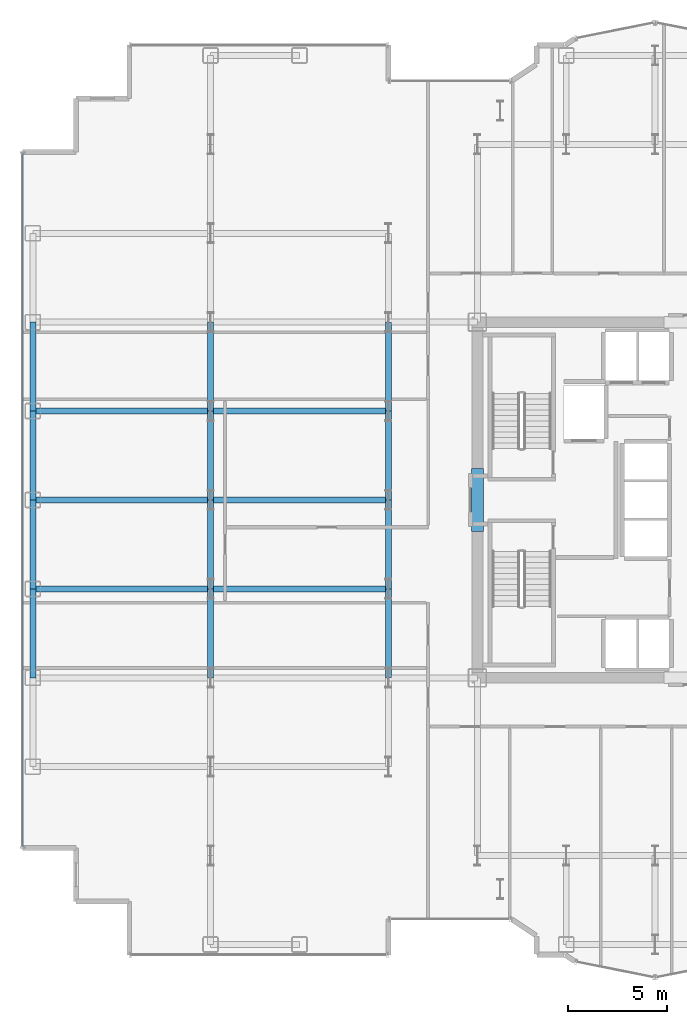
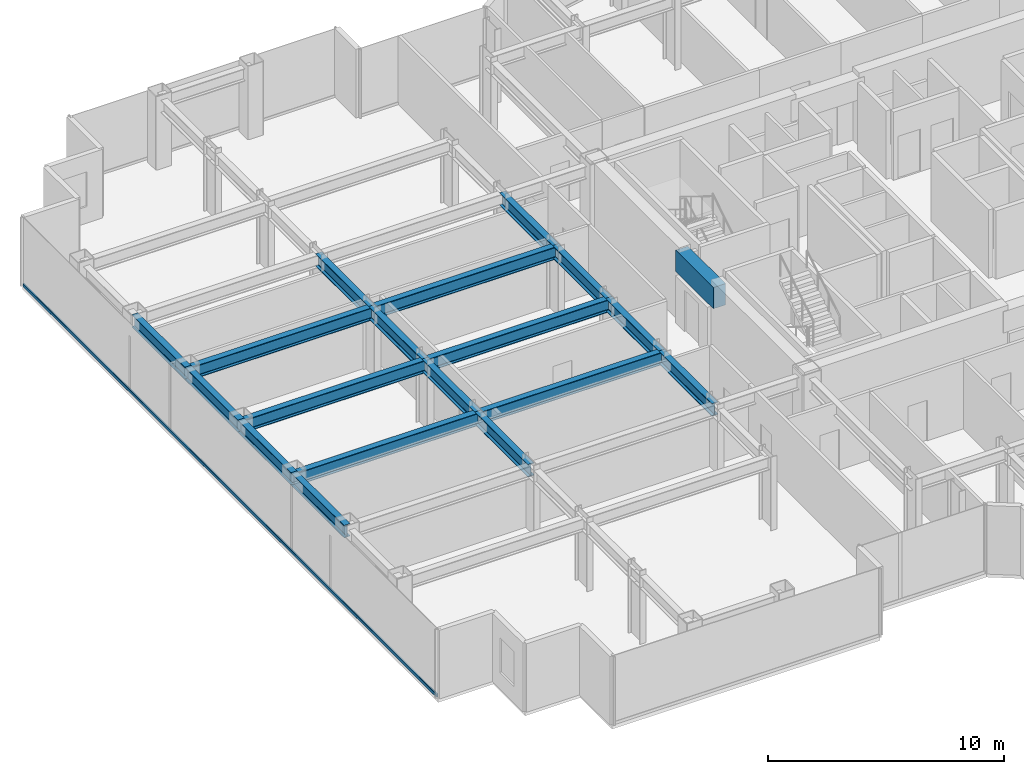
# One storey, part 5 of 26: 19 beams, 1 member, 1 element without a shape of its own.
"""IFC4 building model written with IfcOpenShell, lengths in metres."""

from ifc_helpers import new_model, si_unit, direction, frame, origin, origin_2d, place, context, subcontext, project, spatial, rectangle, hollow_rectangle, i_section, extrude, source, transform, mapped, material, layer, layer_set, material_profile, profile_set, type_object, element, aggregate, save


model = new_model("IFC4")

# Units and contexts
model_context = context("Model", 3, precision=1e-05, world=origin(), true_north=direction((0.0, 1.0)))
body_context = subcontext(model_context, "Body", "Model", "MODEL_VIEW")
ifc_project = project(units=[si_unit("LENGTHUNIT", "METRE"), si_unit("AREAUNIT", "SQUARE_METRE"), si_unit("VOLUMEUNIT", "CUBIC_METRE"), si_unit("PLANEANGLEUNIT", "RADIAN"), si_unit("MASSUNIT", "GRAM", prefix="KILO")], contexts=[model_context])

# Site, building, storey
site_placement = place(None, origin())
site = spatial("IfcSite", under=ifc_project, at=site_placement, CompositionType="ELEMENT")
building_placement = place(site_placement, origin())
building = spatial("IfcBuilding", under=site, at=building_placement, Name="Nefas-Gora Pilgrimage Tower", CompositionType="ELEMENT")
storey_placement = place(building_placement, frame((0.0, 0.0, 117.39990234375)))
storey = spatial("IfcBuildingStorey", under=building, at=storey_placement, Name="L28", CompositionType="ELEMENT", Elevation=117.39990234375)

# Beams
ifc_material_1 = material(Name="Concrete C60/75", Category="concrete")
ifc_material_profile_1 = material_profile(ifc_material_1, rectangle(XDim=0.60009765625, YDim=1.10009765625, at=origin_2d()), Name="RC 600x1100")
ifc_profile_set_1 = profile_set([ifc_material_profile_1], Name="Concrete C60/75")
beam_type_1 = type_object("IfcBeamType", Name="BM-LIN-RC1100", PredefinedType="LINTEL", material=ifc_profile_set_1)
shared_shape_1 = source(origin(), body_context, "Body", "SweptSolid", [
    extrude(rectangle(XDim=0.60009765625, YDim=1.10009765625, at=origin_2d()), origin(), (0.0, 0.0, 1.0), 3.2001953125),
])
beam_placement = place(storey_placement, frame((-11.25, -1.60009765625, 3.0), z_axis=(0.0, 1.0, 0.0), x_axis=(-1.0, 0.0, 0.0)))
element("IfcBeam", 1, at=beam_placement, inside=storey, type_object=beam_type_1, Name="L28 Core Coupling Lintel Beam W", PredefinedType="LINTEL", context=body_context, shape_type="MappedRepresentation", body=[
    mapped(shared_shape_1, transform((0.0, 0.0, 0.0), x_axis=(1.0, 0.0, 0.0), y_axis=(0.0, 1.0, 0.0), z_axis=(0.0, 0.0, 1.0), scale=1.0)),
])
ifc_material_2 = material(Name="Steel S355", Category="steel")
ifc_material_profile_2 = material_profile(ifc_material_2, i_section(OverallWidth=0.300048828125, OverallDepth=0.64990234375, WebThickness=0.01611328125, FlangeThickness=0.031005859375, FilletRadius=0.027099609375, at=origin_2d()), Name="HEB 650")
ifc_profile_set_2 = profile_set([ifc_material_profile_2], Name="Steel S355")
beam_type_2 = type_object("IfcBeamType", Name="BM-SPN-HEB500", PredefinedType="SPANDREL", material=ifc_profile_set_2)
shared_shape_2 = source(origin(), body_context, "Body", "SweptSolid", [
    extrude(i_section(OverallWidth=0.300048828125, OverallDepth=0.64990234375, WebThickness=0.01611328125, FlangeThickness=0.031005859375, FilletRadius=0.027099609375, at=origin_2d()), origin(), (0.0, 0.0, 1.0), 4.5),
])
for number, where, z_axis, x_axis, name in (
    (2, (-33.75, -9.0, 3.22509765625), (0.0, 1.0, 0.0), (-1.0, 0.0, 0.0), "L28 SP-02 beam"),
    (3, (-33.75, -4.5, 3.22509765625), (0.0, 1.0, 0.0), (-1.0, 0.0, 0.0), "L28 SP-02 beam"),
    (4, (-33.75, 0.0, 3.22509765625), (0.0, 1.0, 0.0), (-1.0, 0.0, 0.0), "L28 SP-02 beam"),
    (5, (-33.75, 4.5, 3.22509765625), (0.0, 1.0, 0.0), (-1.0, 0.0, 0.0), "L28 SP-02 beam"),
):
    element("IfcBeam", number, at=place(storey_placement, frame(where, z_axis=z_axis, x_axis=x_axis)), inside=storey, type_object=beam_type_2, Name=name, PredefinedType="SPANDREL", context=body_context, shape_type="MappedRepresentation", body=[
        mapped(shared_shape_2, transform((0.0, 0.0, 0.0), x_axis=(1.0, 0.0, 0.0), y_axis=(0.0, 1.0, 0.0), z_axis=(0.0, 0.0, 1.0), scale=1.0)),
    ])
ifc_material_profile_3 = material_profile(ifc_material_2, i_section(OverallWidth=0.300048828125, OverallDepth=0.64990234375, WebThickness=0.01611328125, FlangeThickness=0.031005859375, FilletRadius=0.027099609375, at=origin_2d()), Name="HEB 650")
ifc_profile_set_3 = profile_set([ifc_material_profile_3], Name="Steel S355")
beam_type_3 = type_object("IfcBeamType", Name="BM-GIR-HEB650", PredefinedType="BEAM", material=ifc_profile_set_3)
shared_shape_3 = source(origin(), body_context, "Body", "SweptSolid", [
    extrude(i_section(OverallWidth=0.300048828125, OverallDepth=0.64990234375, WebThickness=0.01611328125, FlangeThickness=0.031005859375, FilletRadius=0.027099609375, at=origin_2d()), origin(), (0.0, 0.0, 1.0), 9.0),
])
for number, where, z_axis, x_axis, name in (
    (6, (-33.75, -4.5, 3.22509765625), (1.0, 0.0, 0.0), (0.0, 1.0, 0.0), "L28 G-03 beam"),
    (7, (-33.75, 0.0, 3.22509765625), (1.0, 0.0, 0.0), (0.0, 1.0, 0.0), "L28 G-03 beam"),
    (8, (-33.75, 4.5, 3.22509765625), (1.0, 0.0, 0.0), (0.0, 1.0, 0.0), "L28 G-03 beam"),
    (9, (-24.75, -4.5, 3.22509765625), (1.0, 0.0, 0.0), (0.0, 1.0, 0.0), "L28 G-03 beam"),
    (10, (-24.75, 0.0, 3.22509765625), (1.0, 0.0, 0.0), (0.0, 1.0, 0.0), "L28 G-03 beam"),
    (11, (-24.75, 4.5, 3.22509765625), (1.0, 0.0, 0.0), (0.0, 1.0, 0.0), "L28 G-03 beam"),
):
    element("IfcBeam", number, at=place(storey_placement, frame(where, z_axis=z_axis, x_axis=x_axis)), inside=storey, type_object=beam_type_3, Name=name, PredefinedType="BEAM", context=body_context, shape_type="MappedRepresentation", body=[
        mapped(shared_shape_3, transform((0.0, 0.0, 0.0), x_axis=(1.0, 0.0, 0.0), y_axis=(0.0, 1.0, 0.0), z_axis=(0.0, 0.0, 1.0), scale=1.0)),
    ])
shared_shape_4 = source(origin(), body_context, "Body", "SweptSolid", [
    extrude(i_section(OverallWidth=0.300048828125, OverallDepth=0.64990234375, WebThickness=0.01611328125, FlangeThickness=0.031005859375, FilletRadius=0.027099609375, at=origin_2d()), origin(), (0.0, 0.0, 1.0), 4.5),
])
for number, where, z_axis, x_axis, name in (
    (12, (-24.75, -9.0, 3.22509765625), (0.0, 1.0, 0.0), (-1.0, 0.0, 0.0), "L28 G-03 beam"),
    (13, (-24.75, -4.5, 3.22509765625), (0.0, 1.0, 0.0), (-1.0, 0.0, 0.0), "L28 G-03 beam"),
    (14, (-24.75, 0.0, 3.22509765625), (0.0, 1.0, 0.0), (-1.0, 0.0, 0.0), "L28 G-03 beam"),
    (15, (-24.75, 4.5, 3.22509765625), (0.0, 1.0, 0.0), (-1.0, 0.0, 0.0), "L28 G-03 beam"),
    (16, (-15.75, -9.0, 3.22509765625), (0.0, 1.0, 0.0), (-1.0, 0.0, 0.0), "L28 G-03 beam"),
    (17, (-15.75, -4.5, 3.22509765625), (0.0, 1.0, 0.0), (-1.0, 0.0, 0.0), "L28 G-03 beam"),
    (18, (-15.75, 0.0, 3.22509765625), (0.0, 1.0, 0.0), (-1.0, 0.0, 0.0), "L28 G-03 beam"),
    (19, (-15.75, 4.5, 3.22509765625), (0.0, 1.0, 0.0), (-1.0, 0.0, 0.0), "L28 G-03 beam"),
):
    element("IfcBeam", number, at=place(storey_placement, frame(where, z_axis=z_axis, x_axis=x_axis)), inside=storey, type_object=beam_type_3, Name=name, PredefinedType="BEAM", context=body_context, shape_type="MappedRepresentation", body=[
        mapped(shared_shape_4, transform((0.0, 0.0, 0.0), x_axis=(1.0, 0.0, 0.0), y_axis=(0.0, 1.0, 0.0), z_axis=(0.0, 0.0, 1.0), scale=1.0)),
    ])

# Curtain wall, member
ifc_material_3 = material(Name="Dark ceramic-fritted solar-control aluminium-glass curtain wall", Category="aluminium")
ifc_layer = layer(ifc_material_3, 0.219970703125)
ifc_layer_set = layer_set([ifc_layer], Name="Dark ceramic-fritted solar-control aluminium-glass curtain wall")
curtain_wall_type = type_object("IfcCurtainWallType", Name="CW-SYS-2", PredefinedType="NOTDEFINED", material=ifc_layer_set)
curtain_wall_placement = place(storey_placement, origin())
curtain_wall = element("IfcCurtainWall", 20, at=curtain_wall_placement, inside=storey, type_object=curtain_wall_type, Name="L28 Unitised Curtain Wall CW2", PredefinedType="NOTDEFINED")
ifc_material_4 = material(Name="Anodised architectural aluminium", Category="aluminium")
ifc_material_profile_4 = material_profile(ifc_material_4, hollow_rectangle(XDim=0.080078125, YDim=0.159912109375, WallThickness=0.00439453125, InnerFilletRadius=0.00439453125, OuterFilletRadius=0.009033203125, at=origin_2d()), Name="ALU TRANSOM 80x160")
ifc_profile_set_4 = profile_set([ifc_material_profile_4], Name="Anodised architectural aluminium")
member_type = type_object("IfcMemberType", Name="CWM-TRN-2", PredefinedType="USERDEFINED", material=ifc_profile_set_4)
shared_shape_5 = source(origin(), body_context, "Body", "SweptSolid", [
    extrude(hollow_rectangle(XDim=0.080078125, YDim=0.159912109375, WallThickness=0.00439453125, InnerFilletRadius=0.00439453125, OuterFilletRadius=0.009033203125, at=origin_2d()), origin(), (0.0, 0.0, 1.0), 35.06005859375),
])
member_placement = place(storey_placement, frame((-34.27001953125, 17.530029296875, 0.050048828125), z_axis=(0.0, -1.0, 0.0), x_axis=(1.0, 0.0, 0.0)))
member = element("IfcMember", 21, at=member_placement, type_object=member_type, Name="CW2 Spandrel Transom", ObjectType="TRANSOM", PredefinedType="USERDEFINED", context=body_context, shape_type="MappedRepresentation", body=[
    mapped(shared_shape_5, transform((0.0, 0.0, 0.0), x_axis=(1.0, 0.0, 0.0), y_axis=(0.0, 1.0, 0.0), z_axis=(0.0, 0.0, 1.0), scale=1.0)),
])
aggregate(curtain_wall, [member])

save(model, "model.ifc")
